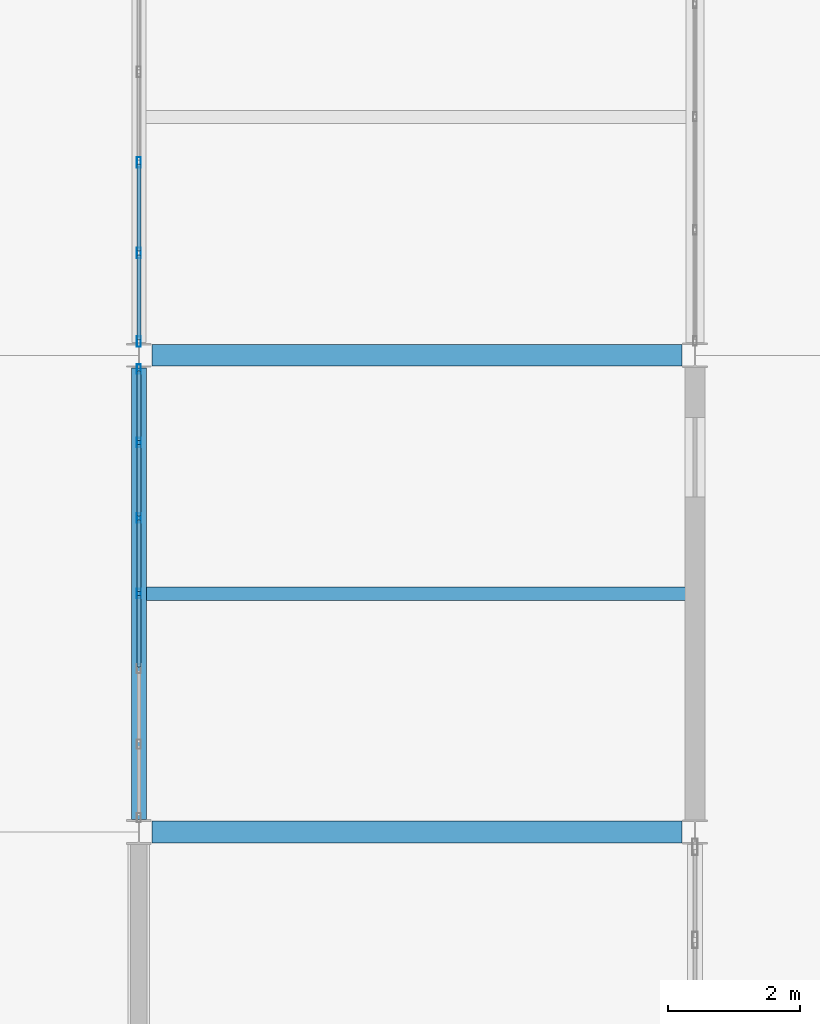
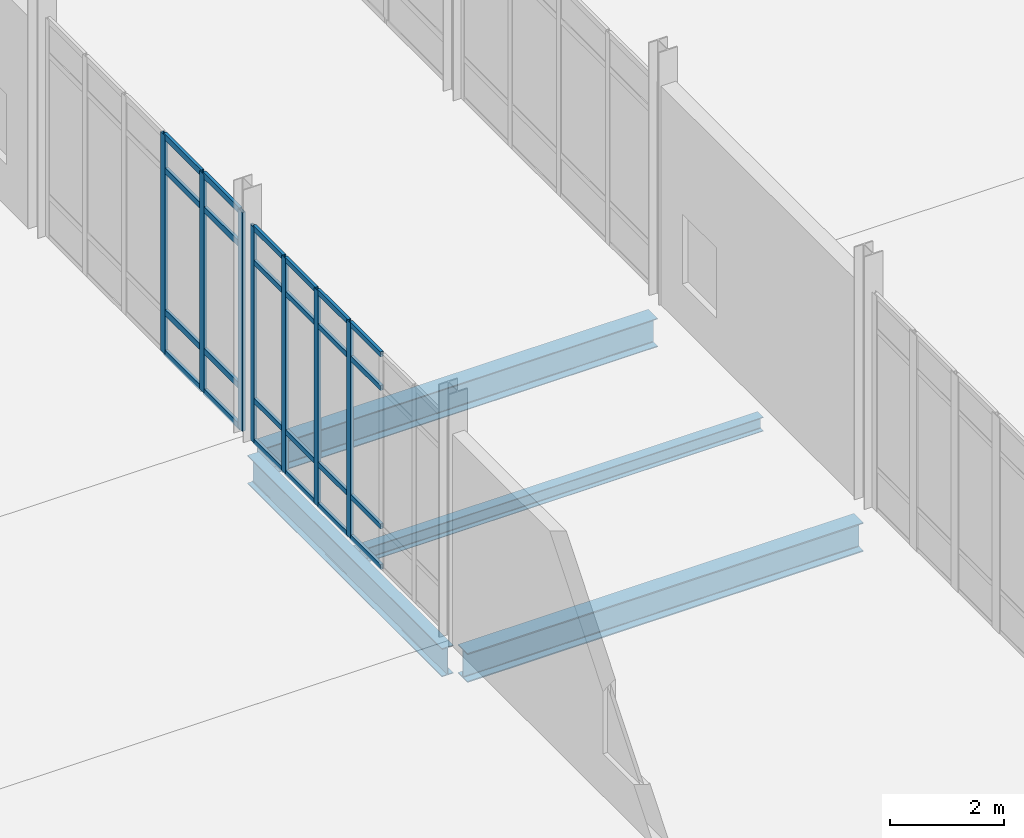
# One storey, part 79 of 229: 31 members, 4 beams, 2 elements without a shape of their own.
"""IFC4 building model written with IfcOpenShell, lengths in metres."""

from ifc_helpers import new_model, si_unit, direction, frame, origin, origin_2d, place, context, subcontext, project, spatial, hollow_rectangle, i_section, extrude, material, layer, layer_set, material_profile, profile_set, type_object, element, aggregate, save


model = new_model("IFC4")

# Units and contexts
model_context = context("Model", 3, precision=1e-05, world=origin(), true_north=direction((0.0, 1.0)))
body_context = subcontext(model_context, "Body", "Model", "MODEL_VIEW")
ifc_project = project(units=[si_unit("LENGTHUNIT", "METRE"), si_unit("AREAUNIT", "SQUARE_METRE"), si_unit("VOLUMEUNIT", "CUBIC_METRE"), si_unit("PLANEANGLEUNIT", "RADIAN"), si_unit("MASSUNIT", "GRAM", prefix="KILO")], contexts=[model_context])

# Site, building, storey
site_placement = place(None, origin())
site = spatial("IfcSite", under=ifc_project, at=site_placement, CompositionType="ELEMENT")
building_placement = place(site_placement, origin())
building = spatial("IfcBuilding", under=site, at=building_placement, Name="Calvrana Isthmian Art Gallery", CompositionType="ELEMENT")
storey_placement = place(building_placement, origin())
storey = spatial("IfcBuildingStorey", under=building, at=storey_placement, Name="L00", CompositionType="ELEMENT", Elevation=0.0)

# Beams
ifc_material_1 = material(Name="Steel ASTM A992 Gr 50", Category="steel")
ifc_material_profile_1 = material_profile(ifc_material_1, i_section(OverallWidth=0.324951171875, OverallDepth=0.612060546875, WebThickness=0.0126953125, FlangeThickness=0.01904296875, FilletRadius=0.02197265625, at=origin_2d()), Name="W24X104")
ifc_profile_set_1 = profile_set([ifc_material_profile_1], Name="Steel ASTM A992 Gr 50")
beam_type_1 = type_object("IfcBeamType", Name="BM-G-W24X104", PredefinedType="BEAM", material=ifc_profile_set_1)
beam_1_placement = place(storey_placement, frame((55.3994140625, 76.800048828125, -0.591064453125), z_axis=(1.0, 0.0, 0.0), x_axis=(0.0, 1.0, 0.0)))
element("IfcBeam", 1, at=beam_1_placement, inside=storey, type_object=beam_type_1, Name="Girder X L00 08-09/K", PredefinedType="BEAM", context=body_context, shape_type="SweptSolid", body=[
    extrude(i_section(OverallWidth=0.324951171875, OverallDepth=0.612060546875, WebThickness=0.0126953125, FlangeThickness=0.01904296875, FilletRadius=0.02197265625, at=origin_2d()), origin(), (0.0, 0.0, 1.0), 8.002685546875),
])
ifc_material_profile_2 = material_profile(ifc_material_1, i_section(OverallWidth=0.327880859375, OverallDepth=0.6220703125, WebThickness=0.015380859375, FlangeThickness=0.0244140625, FilletRadius=0.02197265625, at=origin_2d()), Name="W24X131")
ifc_profile_set_2 = profile_set([ifc_material_profile_2], Name="Steel ASTM A992 Gr 50")
beam_type_2 = type_object("IfcBeamType", Name="BM-G-W24X131", PredefinedType="BEAM", material=ifc_profile_set_2)
beam_2_placement = place(storey_placement, frame((55.39794921875, 69.60009765625, -0.595947265625), z_axis=(1.0, 0.0, 0.0), x_axis=(0.0, 1.0, 0.0)))
element("IfcBeam", 2, at=beam_2_placement, inside=storey, type_object=beam_type_2, Name="Girder X L00 08-09/J", PredefinedType="BEAM", context=body_context, shape_type="SweptSolid", body=[
    extrude(i_section(OverallWidth=0.327880859375, OverallDepth=0.6220703125, WebThickness=0.015380859375, FlangeThickness=0.0244140625, FilletRadius=0.02197265625, at=origin_2d()), origin(), (0.0, 0.0, 1.0), 8.005126953125),
])
ifc_material_profile_3 = material_profile(ifc_material_1, i_section(OverallWidth=0.22802734375, OverallDepth=0.60693359375, WebThickness=0.01123046875, FlangeThickness=0.017333984375, FilletRadius=0.02197265625, at=origin_2d()), Name="W24X76")
ifc_profile_set_3 = profile_set([ifc_material_profile_3], Name="Steel ASTM A992 Gr 50")
beam_type_3 = type_object("IfcBeamType", Name="BM-G-W24X76", PredefinedType="BEAM", material=ifc_profile_set_3)
beam_3_placement = place(storey_placement, frame((55.199951171875, 69.79052734375, -0.58837890625), z_axis=(0.0, 1.0, 0.0), x_axis=(-1.0, 0.0, 0.0)))
element("IfcBeam", 3, at=beam_3_placement, inside=storey, type_object=beam_type_3, Name="Girder Y L00 08/J-K", PredefinedType="BEAM", context=body_context, shape_type="SweptSolid", body=[
    extrude(i_section(OverallWidth=0.22802734375, OverallDepth=0.60693359375, WebThickness=0.01123046875, FlangeThickness=0.017333984375, FilletRadius=0.02197265625, at=origin_2d()), origin(), (0.0, 0.0, 1.0), 6.81640625),
])
ifc_material_profile_4 = material_profile(ifc_material_1, i_section(OverallWidth=0.202880859375, OverallDepth=0.302001953125, WebThickness=0.007568359375, FlangeThickness=0.01318359375, FilletRadius=0.01611328125, at=origin_2d()), Name="W12X40")
ifc_profile_set_4 = profile_set([ifc_material_profile_4], Name="Steel ASTM A992 Gr 50")
beam_type_4 = type_object("IfcBeamType", Name="BM-J-W12X40", PredefinedType="JOIST", material=ifc_profile_set_4)
beam_4_placement = place(storey_placement, frame((55.31396484375, 73.199951171875, -0.43603515625), z_axis=(1.0, 0.0, 0.0), x_axis=(0.0, 1.0, 0.0)))
element("IfcBeam", 4, at=beam_4_placement, inside=storey, type_object=beam_type_4, Name="Composite joist L00 bay 07-09", PredefinedType="JOIST", context=body_context, shape_type="SweptSolid", body=[
    extrude(i_section(OverallWidth=0.202880859375, OverallDepth=0.302001953125, WebThickness=0.007568359375, FlangeThickness=0.01318359375, FilletRadius=0.01611328125, at=origin_2d()), origin(), (0.0, 0.0, 1.0), 8.181640625),
])

# Curtain wall, members
ifc_material_2 = material(Name="Anodized bronze aluminium 6063-T6", Category="aluminium")
ifc_layer_1 = layer(ifc_material_2, 0.179931640625, Name="Anodized bronze aluminium 6063-T6")
ifc_layer_set_1 = layer_set([ifc_layer_1], Name="Anodized bronze aluminium 6063-T6")
curtain_wall_type_1 = type_object("IfcCurtainWallType", Name="CW-UNIT-068X46", PredefinedType="USERDEFINED", material=ifc_layer_set_1)
curtain_wall_1_placement = place(storey_placement, origin())
curtain_wall_1 = element("IfcCurtainWall", 5, at=curtain_wall_1_placement, inside=storey, type_object=curtain_wall_type_1, Name="Curtain wall CW-060", ObjectType="UNITISED CURTAIN WALL", PredefinedType="USERDEFINED")
ifc_material_profile_5 = material_profile(ifc_material_2, hollow_rectangle(XDim=0.06005859375, YDim=0.139892578125, WallThickness=0.00390625, at=origin_2d()), Name="CWM60X140")
ifc_profile_set_5 = profile_set([ifc_material_profile_5], Name="Anodized bronze aluminium 6063-T6")
member_type_1 = type_object("IfcMemberType", Name="CWM-CWM60X140", PredefinedType="MULLION", material=ifc_profile_set_5)
member_1_placement = place(storey_placement, frame((55.199951171875, 73.204345703125, 0.0), z_axis=(0.0, 0.0, 1.0), x_axis=(-1.0, 0.0, 0.0)))
member_1 = element("IfcMember", 6, at=member_1_placement, type_object=member_type_1, Name="CW-060 mullion 4", PredefinedType="MULLION", context=body_context, shape_type="SweptSolid", body=[
    extrude(hollow_rectangle(XDim=0.06005859375, YDim=0.139892578125, WallThickness=0.00390625, at=origin_2d()), origin(), (0.0, 0.0, 1.0), 4.60693359375),
])
member_2_placement = place(storey_placement, frame((55.199951171875, 74.343505859375, 0.0), z_axis=(0.0, 0.0, 1.0), x_axis=(-1.0, 0.0, 0.0)))
member_2 = element("IfcMember", 7, at=member_2_placement, type_object=member_type_1, Name="CW-060 mullion 5", PredefinedType="MULLION", context=body_context, shape_type="SweptSolid", body=[
    extrude(hollow_rectangle(XDim=0.06005859375, YDim=0.139892578125, WallThickness=0.00390625, at=origin_2d()), origin(), (0.0, 0.0, 1.0), 4.60693359375),
])
member_3_placement = place(storey_placement, frame((55.199951171875, 75.482666015625, 0.0), z_axis=(0.0, 0.0, 1.0), x_axis=(-1.0, 0.0, 0.0)))
member_3 = element("IfcMember", 8, at=member_3_placement, type_object=member_type_1, Name="CW-060 mullion 6", PredefinedType="MULLION", context=body_context, shape_type="SweptSolid", body=[
    extrude(hollow_rectangle(XDim=0.06005859375, YDim=0.139892578125, WallThickness=0.00390625, at=origin_2d()), origin(), (0.0, 0.0, 1.0), 4.60693359375),
])
member_4_placement = place(storey_placement, frame((55.199951171875, 76.592041015625, 0.0), z_axis=(0.0, 0.0, 1.0), x_axis=(-1.0, 0.0, 0.0)))
member_4 = element("IfcMember", 9, at=member_4_placement, type_object=member_type_1, Name="CW-060 mullion 7", PredefinedType="MULLION", context=body_context, shape_type="SweptSolid", body=[
    extrude(hollow_rectangle(XDim=0.06005859375, YDim=0.139892578125, WallThickness=0.00390625, at=origin_2d()), origin(), (0.0, 0.0, 1.0), 4.60693359375),
])

ifc_layer_2 = layer(ifc_material_2, 0.179931640625, Name="Anodized bronze aluminium 6063-T6")
ifc_layer_set_2 = layer_set([ifc_layer_2], Name="Anodized bronze aluminium 6063-T6")
curtain_wall_type_2 = type_object("IfcCurtainWallType", Name="CW-STICK-068X47", PredefinedType="NOTDEFINED", material=ifc_layer_set_2)
curtain_wall_2_placement = place(storey_placement, origin())
curtain_wall_2 = element("IfcCurtainWall", 10, at=curtain_wall_2_placement, inside=storey, type_object=curtain_wall_type_2, Name="Curtain wall CW-061", PredefinedType="NOTDEFINED")
ifc_material_profile_6 = material_profile(ifc_material_2, hollow_rectangle(XDim=0.06005859375, YDim=0.159912109375, WallThickness=0.00390625, at=origin_2d()), Name="CWM60X160")
ifc_profile_set_6 = profile_set([ifc_material_profile_6], Name="Anodized bronze aluminium 6063-T6")
member_type_2 = type_object("IfcMemberType", Name="CWM-CWM60X160", PredefinedType="MULLION", material=ifc_profile_set_6)
member_5_placement = place(storey_placement, frame((55.199951171875, 77.008056640625, 0.0), z_axis=(0.0, 0.0, 1.0), x_axis=(-1.0, 0.0, 0.0)))
member_5 = element("IfcMember", 11, at=member_5_placement, type_object=member_type_2, Name="CW-061 mullion 1", PredefinedType="MULLION", context=body_context, shape_type="SweptSolid", body=[
    extrude(hollow_rectangle(XDim=0.06005859375, YDim=0.159912109375, WallThickness=0.00390625, at=origin_2d()), origin(), (0.0, 0.0, 1.0), 4.677978515625),
])
member_6_placement = place(storey_placement, frame((55.199951171875, 78.34619140625, 0.0), z_axis=(0.0, 0.0, 1.0), x_axis=(-1.0, 0.0, 0.0)))
member_6 = element("IfcMember", 12, at=member_6_placement, type_object=member_type_2, Name="CW-061 mullion 2", PredefinedType="MULLION", context=body_context, shape_type="SweptSolid", body=[
    extrude(hollow_rectangle(XDim=0.06005859375, YDim=0.159912109375, WallThickness=0.00390625, at=origin_2d()), origin(), (0.0, 0.0, 1.0), 4.677978515625),
])
member_7_placement = place(storey_placement, frame((55.199951171875, 79.714111328125, 0.0), z_axis=(0.0, 0.0, 1.0), x_axis=(-1.0, 0.0, 0.0)))
member_7 = element("IfcMember", 13, at=member_7_placement, type_object=member_type_2, Name="CW-061 mullion 3", PredefinedType="MULLION", context=body_context, shape_type="SweptSolid", body=[
    extrude(hollow_rectangle(XDim=0.06005859375, YDim=0.159912109375, WallThickness=0.00390625, at=origin_2d()), origin(), (0.0, 0.0, 1.0), 4.677978515625),
])

# Member
ifc_material_profile_7 = material_profile(ifc_material_2, hollow_rectangle(XDim=0.06005859375, YDim=0.110107421875, WallThickness=0.00341796875, at=origin_2d()), Name="CWT60X110")
ifc_profile_set_7 = profile_set([ifc_material_profile_7], Name="Anodized bronze aluminium 6063-T6")
member_type_3 = type_object("IfcMemberType", Name="CWT-CWT60X110", PredefinedType="USERDEFINED", material=ifc_profile_set_7)
member_8_placement = place(storey_placement, frame((55.199951171875, 72.094970703125, 0.030029296875), z_axis=(0.0, 1.0, 0.0), x_axis=(-1.0, 0.0, 0.0)))
member_8 = element("IfcMember", 14, at=member_8_placement, type_object=member_type_3, Name="CW-060 transom 3.1", ObjectType="TRANSOM", PredefinedType="USERDEFINED", context=body_context, shape_type="SweptSolid", body=[
    extrude(hollow_rectangle(XDim=0.06005859375, YDim=0.110107421875, WallThickness=0.00341796875, at=origin_2d()), origin(), (0.0, 0.0, 1.0), 1.079345703125),
])

member_9_placement = place(storey_placement, frame((55.199951171875, 72.094970703125, 0.89990234375), z_axis=(0.0, 1.0, 0.0), x_axis=(-1.0, 0.0, 0.0)))
member_9 = element("IfcMember", 15, at=member_9_placement, type_object=member_type_3, Name="CW-060 transom 3.2", ObjectType="TRANSOM", PredefinedType="USERDEFINED", context=body_context, shape_type="SweptSolid", body=[
    extrude(hollow_rectangle(XDim=0.06005859375, YDim=0.110107421875, WallThickness=0.00341796875, at=origin_2d()), origin(), (0.0, 0.0, 1.0), 1.079345703125),
])

member_10_placement = place(storey_placement, frame((55.199951171875, 72.094970703125, 3.85693359375), z_axis=(0.0, 1.0, 0.0), x_axis=(-1.0, 0.0, 0.0)))
member_10 = element("IfcMember", 16, at=member_10_placement, type_object=member_type_3, Name="CW-060 transom 3.3", ObjectType="TRANSOM", PredefinedType="USERDEFINED", context=body_context, shape_type="SweptSolid", body=[
    extrude(hollow_rectangle(XDim=0.06005859375, YDim=0.110107421875, WallThickness=0.00341796875, at=origin_2d()), origin(), (0.0, 0.0, 1.0), 1.079345703125),
])

member_11_placement = place(storey_placement, frame((55.199951171875, 72.094970703125, 4.576904296875), z_axis=(0.0, 1.0, 0.0), x_axis=(-1.0, 0.0, 0.0)))
member_11 = element("IfcMember", 17, at=member_11_placement, type_object=member_type_3, Name="CW-060 transom 3.4", ObjectType="TRANSOM", PredefinedType="USERDEFINED", context=body_context, shape_type="SweptSolid", body=[
    extrude(hollow_rectangle(XDim=0.06005859375, YDim=0.110107421875, WallThickness=0.00341796875, at=origin_2d()), origin(), (0.0, 0.0, 1.0), 1.079345703125),
])

member_12_placement = place(storey_placement, frame((55.199951171875, 73.234130859375, 0.030029296875), z_axis=(0.0, 1.0, 0.0), x_axis=(-1.0, 0.0, 0.0)))
member_12 = element("IfcMember", 18, at=member_12_placement, type_object=member_type_3, Name="CW-060 transom 4.1", ObjectType="TRANSOM", PredefinedType="USERDEFINED", context=body_context, shape_type="SweptSolid", body=[
    extrude(hollow_rectangle(XDim=0.06005859375, YDim=0.110107421875, WallThickness=0.00341796875, at=origin_2d()), origin(), (0.0, 0.0, 1.0), 1.079345703125),
])

member_13_placement = place(storey_placement, frame((55.199951171875, 73.234130859375, 0.89990234375), z_axis=(0.0, 1.0, 0.0), x_axis=(-1.0, 0.0, 0.0)))
member_13 = element("IfcMember", 19, at=member_13_placement, type_object=member_type_3, Name="CW-060 transom 4.2", ObjectType="TRANSOM", PredefinedType="USERDEFINED", context=body_context, shape_type="SweptSolid", body=[
    extrude(hollow_rectangle(XDim=0.06005859375, YDim=0.110107421875, WallThickness=0.00341796875, at=origin_2d()), origin(), (0.0, 0.0, 1.0), 1.079345703125),
])

member_14_placement = place(storey_placement, frame((55.199951171875, 73.234130859375, 3.85693359375), z_axis=(0.0, 1.0, 0.0), x_axis=(-1.0, 0.0, 0.0)))
member_14 = element("IfcMember", 20, at=member_14_placement, type_object=member_type_3, Name="CW-060 transom 4.3", ObjectType="TRANSOM", PredefinedType="USERDEFINED", context=body_context, shape_type="SweptSolid", body=[
    extrude(hollow_rectangle(XDim=0.06005859375, YDim=0.110107421875, WallThickness=0.00341796875, at=origin_2d()), origin(), (0.0, 0.0, 1.0), 1.079345703125),
])

member_15_placement = place(storey_placement, frame((55.199951171875, 73.234130859375, 4.576904296875), z_axis=(0.0, 1.0, 0.0), x_axis=(-1.0, 0.0, 0.0)))
member_15 = element("IfcMember", 21, at=member_15_placement, type_object=member_type_3, Name="CW-060 transom 4.4", ObjectType="TRANSOM", PredefinedType="USERDEFINED", context=body_context, shape_type="SweptSolid", body=[
    extrude(hollow_rectangle(XDim=0.06005859375, YDim=0.110107421875, WallThickness=0.00341796875, at=origin_2d()), origin(), (0.0, 0.0, 1.0), 1.079345703125),
])

member_16_placement = place(storey_placement, frame((55.199951171875, 74.37353515625, 0.030029296875), z_axis=(0.0, 1.0, 0.0), x_axis=(-1.0, 0.0, 0.0)))
member_16 = element("IfcMember", 22, at=member_16_placement, type_object=member_type_3, Name="CW-060 transom 5.1", ObjectType="TRANSOM", PredefinedType="USERDEFINED", context=body_context, shape_type="SweptSolid", body=[
    extrude(hollow_rectangle(XDim=0.06005859375, YDim=0.110107421875, WallThickness=0.00341796875, at=origin_2d()), origin(), (0.0, 0.0, 1.0), 1.0791015625),
])

member_17_placement = place(storey_placement, frame((55.199951171875, 74.37353515625, 0.89990234375), z_axis=(0.0, 1.0, 0.0), x_axis=(-1.0, 0.0, 0.0)))
member_17 = element("IfcMember", 23, at=member_17_placement, type_object=member_type_3, Name="CW-060 transom 5.2", ObjectType="TRANSOM", PredefinedType="USERDEFINED", context=body_context, shape_type="SweptSolid", body=[
    extrude(hollow_rectangle(XDim=0.06005859375, YDim=0.110107421875, WallThickness=0.00341796875, at=origin_2d()), origin(), (0.0, 0.0, 1.0), 1.0791015625),
])

member_18_placement = place(storey_placement, frame((55.199951171875, 74.37353515625, 3.85693359375), z_axis=(0.0, 1.0, 0.0), x_axis=(-1.0, 0.0, 0.0)))
member_18 = element("IfcMember", 24, at=member_18_placement, type_object=member_type_3, Name="CW-060 transom 5.3", ObjectType="TRANSOM", PredefinedType="USERDEFINED", context=body_context, shape_type="SweptSolid", body=[
    extrude(hollow_rectangle(XDim=0.06005859375, YDim=0.110107421875, WallThickness=0.00341796875, at=origin_2d()), origin(), (0.0, 0.0, 1.0), 1.0791015625),
])

member_19_placement = place(storey_placement, frame((55.199951171875, 74.37353515625, 4.576904296875), z_axis=(0.0, 1.0, 0.0), x_axis=(-1.0, 0.0, 0.0)))
member_19 = element("IfcMember", 25, at=member_19_placement, type_object=member_type_3, Name="CW-060 transom 5.4", ObjectType="TRANSOM", PredefinedType="USERDEFINED", context=body_context, shape_type="SweptSolid", body=[
    extrude(hollow_rectangle(XDim=0.06005859375, YDim=0.110107421875, WallThickness=0.00341796875, at=origin_2d()), origin(), (0.0, 0.0, 1.0), 1.0791015625),
])

member_20_placement = place(storey_placement, frame((55.199951171875, 75.5126953125, 0.030029296875), z_axis=(0.0, 1.0, 0.0), x_axis=(-1.0, 0.0, 0.0)))
member_20 = element("IfcMember", 26, at=member_20_placement, type_object=member_type_3, Name="CW-060 transom 6.1", ObjectType="TRANSOM", PredefinedType="USERDEFINED", context=body_context, shape_type="SweptSolid", body=[
    extrude(hollow_rectangle(XDim=0.06005859375, YDim=0.110107421875, WallThickness=0.00341796875, at=origin_2d()), origin(), (0.0, 0.0, 1.0), 1.04931640625),
])

member_21_placement = place(storey_placement, frame((55.199951171875, 75.5126953125, 0.89990234375), z_axis=(0.0, 1.0, 0.0), x_axis=(-1.0, 0.0, 0.0)))
member_21 = element("IfcMember", 27, at=member_21_placement, type_object=member_type_3, Name="CW-060 transom 6.2", ObjectType="TRANSOM", PredefinedType="USERDEFINED", context=body_context, shape_type="SweptSolid", body=[
    extrude(hollow_rectangle(XDim=0.06005859375, YDim=0.110107421875, WallThickness=0.00341796875, at=origin_2d()), origin(), (0.0, 0.0, 1.0), 1.04931640625),
])

member_22_placement = place(storey_placement, frame((55.199951171875, 75.5126953125, 3.85693359375), z_axis=(0.0, 1.0, 0.0), x_axis=(-1.0, 0.0, 0.0)))
member_22 = element("IfcMember", 28, at=member_22_placement, type_object=member_type_3, Name="CW-060 transom 6.3", ObjectType="TRANSOM", PredefinedType="USERDEFINED", context=body_context, shape_type="SweptSolid", body=[
    extrude(hollow_rectangle(XDim=0.06005859375, YDim=0.110107421875, WallThickness=0.00341796875, at=origin_2d()), origin(), (0.0, 0.0, 1.0), 1.04931640625),
])

member_23_placement = place(storey_placement, frame((55.199951171875, 75.5126953125, 4.576904296875), z_axis=(0.0, 1.0, 0.0), x_axis=(-1.0, 0.0, 0.0)))
member_23 = element("IfcMember", 29, at=member_23_placement, type_object=member_type_3, Name="CW-060 transom 6.4", ObjectType="TRANSOM", PredefinedType="USERDEFINED", context=body_context, shape_type="SweptSolid", body=[
    extrude(hollow_rectangle(XDim=0.06005859375, YDim=0.110107421875, WallThickness=0.00341796875, at=origin_2d()), origin(), (0.0, 0.0, 1.0), 1.04931640625),
])

aggregate(curtain_wall_1, [member_1, member_2, member_3, member_4, member_8, member_9, member_10, member_11, member_12, member_13, member_14, member_15, member_16, member_17, member_18, member_19, member_20, member_21, member_22, member_23])

ifc_material_profile_8 = material_profile(ifc_material_2, hollow_rectangle(XDim=0.06005859375, YDim=0.1298828125, WallThickness=0.00390625, at=origin_2d()), Name="CWT60X130")
ifc_profile_set_8 = profile_set([ifc_material_profile_8], Name="Anodized bronze aluminium 6063-T6")
member_type_4 = type_object("IfcMemberType", Name="CWT-CWT60X130", PredefinedType="USERDEFINED", material=ifc_profile_set_8)
member_24_placement = place(storey_placement, frame((55.199951171875, 77.0380859375, 0.030029296875), z_axis=(0.0, 1.0, 0.0), x_axis=(-1.0, 0.0, 0.0)))
member_24 = element("IfcMember", 30, at=member_24_placement, type_object=member_type_4, Name="CW-061 transom 1.1", ObjectType="TRANSOM", PredefinedType="USERDEFINED", context=body_context, shape_type="SweptSolid", body=[
    extrude(hollow_rectangle(XDim=0.06005859375, YDim=0.1298828125, WallThickness=0.00390625, at=origin_2d()), origin(), (0.0, 0.0, 1.0), 1.278076171875),
])

member_25_placement = place(storey_placement, frame((55.199951171875, 77.0380859375, 0.89990234375), z_axis=(0.0, 1.0, 0.0), x_axis=(-1.0, 0.0, 0.0)))
member_25 = element("IfcMember", 31, at=member_25_placement, type_object=member_type_4, Name="CW-061 transom 1.2", ObjectType="TRANSOM", PredefinedType="USERDEFINED", context=body_context, shape_type="SweptSolid", body=[
    extrude(hollow_rectangle(XDim=0.06005859375, YDim=0.1298828125, WallThickness=0.00390625, at=origin_2d()), origin(), (0.0, 0.0, 1.0), 1.278076171875),
])

member_26_placement = place(storey_placement, frame((55.199951171875, 77.0380859375, 3.927978515625), z_axis=(0.0, 1.0, 0.0), x_axis=(-1.0, 0.0, 0.0)))
member_26 = element("IfcMember", 32, at=member_26_placement, type_object=member_type_4, Name="CW-061 transom 1.3", ObjectType="TRANSOM", PredefinedType="USERDEFINED", context=body_context, shape_type="SweptSolid", body=[
    extrude(hollow_rectangle(XDim=0.06005859375, YDim=0.1298828125, WallThickness=0.00390625, at=origin_2d()), origin(), (0.0, 0.0, 1.0), 1.278076171875),
])

member_27_placement = place(storey_placement, frame((55.199951171875, 77.0380859375, 4.64794921875), z_axis=(0.0, 1.0, 0.0), x_axis=(-1.0, 0.0, 0.0)))
member_27 = element("IfcMember", 33, at=member_27_placement, type_object=member_type_4, Name="CW-061 transom 1.4", ObjectType="TRANSOM", PredefinedType="USERDEFINED", context=body_context, shape_type="SweptSolid", body=[
    extrude(hollow_rectangle(XDim=0.06005859375, YDim=0.1298828125, WallThickness=0.00390625, at=origin_2d()), origin(), (0.0, 0.0, 1.0), 1.278076171875),
])

member_28_placement = place(storey_placement, frame((55.199951171875, 78.376220703125, 0.030029296875), z_axis=(0.0, 1.0, 0.0), x_axis=(-1.0, 0.0, 0.0)))
member_28 = element("IfcMember", 34, at=member_28_placement, type_object=member_type_4, Name="CW-061 transom 2.1", ObjectType="TRANSOM", PredefinedType="USERDEFINED", context=body_context, shape_type="SweptSolid", body=[
    extrude(hollow_rectangle(XDim=0.06005859375, YDim=0.1298828125, WallThickness=0.00390625, at=origin_2d()), origin(), (0.0, 0.0, 1.0), 1.307861328125),
])

member_29_placement = place(storey_placement, frame((55.199951171875, 78.376220703125, 0.89990234375), z_axis=(0.0, 1.0, 0.0), x_axis=(-1.0, 0.0, 0.0)))
member_29 = element("IfcMember", 35, at=member_29_placement, type_object=member_type_4, Name="CW-061 transom 2.2", ObjectType="TRANSOM", PredefinedType="USERDEFINED", context=body_context, shape_type="SweptSolid", body=[
    extrude(hollow_rectangle(XDim=0.06005859375, YDim=0.1298828125, WallThickness=0.00390625, at=origin_2d()), origin(), (0.0, 0.0, 1.0), 1.307861328125),
])

member_30_placement = place(storey_placement, frame((55.199951171875, 78.376220703125, 3.927978515625), z_axis=(0.0, 1.0, 0.0), x_axis=(-1.0, 0.0, 0.0)))
member_30 = element("IfcMember", 36, at=member_30_placement, type_object=member_type_4, Name="CW-061 transom 2.3", ObjectType="TRANSOM", PredefinedType="USERDEFINED", context=body_context, shape_type="SweptSolid", body=[
    extrude(hollow_rectangle(XDim=0.06005859375, YDim=0.1298828125, WallThickness=0.00390625, at=origin_2d()), origin(), (0.0, 0.0, 1.0), 1.307861328125),
])

member_31_placement = place(storey_placement, frame((55.199951171875, 78.376220703125, 4.64794921875), z_axis=(0.0, 1.0, 0.0), x_axis=(-1.0, 0.0, 0.0)))
member_31 = element("IfcMember", 37, at=member_31_placement, type_object=member_type_4, Name="CW-061 transom 2.4", ObjectType="TRANSOM", PredefinedType="USERDEFINED", context=body_context, shape_type="SweptSolid", body=[
    extrude(hollow_rectangle(XDim=0.06005859375, YDim=0.1298828125, WallThickness=0.00390625, at=origin_2d()), origin(), (0.0, 0.0, 1.0), 1.307861328125),
])

aggregate(curtain_wall_2, [member_5, member_6, member_7, member_24, member_25, member_26, member_27, member_28, member_29, member_30, member_31])

save(model, "model.ifc")
